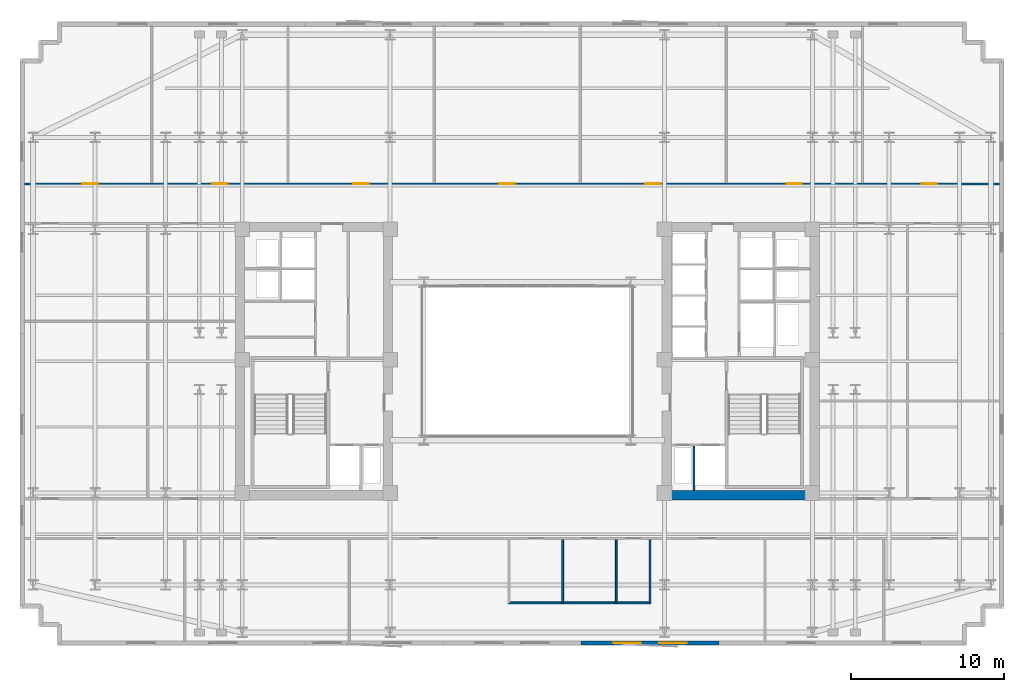
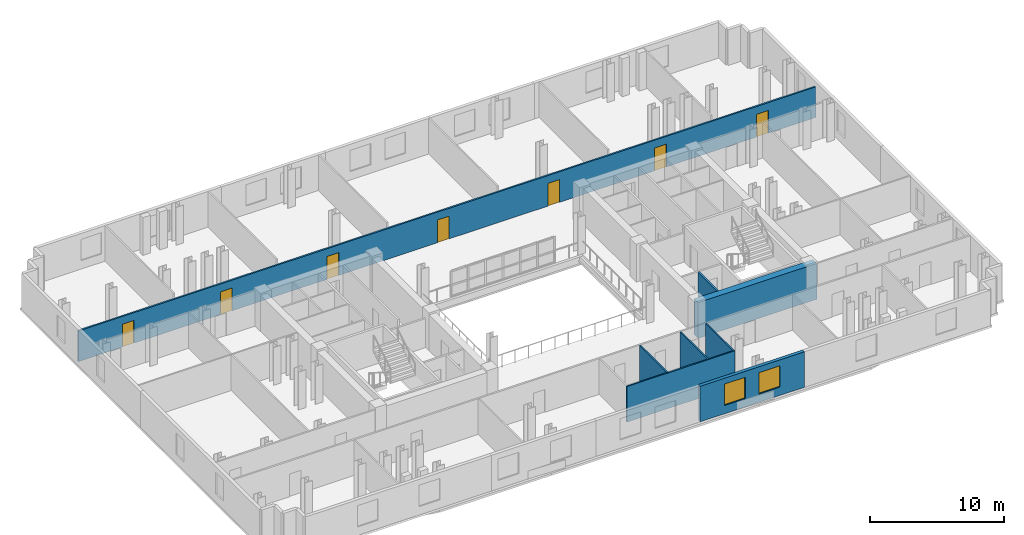
# One storey, part 8 of 12: 8 walls, 7 doors, 2 windows, 9 openings.
"""IFC4 building model written with IfcOpenShell, lengths in metres."""

from ifc_helpers import new_model, si_unit, direction, frame, frame_2d, origin, place, context, subcontext, project, spatial, rectangle, extrude, material, layer, layer_set, type_object, element, fill, save


model = new_model("IFC4")

# Units and contexts
model_context = context("Model", 3, precision=1e-05, world=origin(), true_north=direction((0.0, 1.0)))
body_context = subcontext(model_context, "Body", "Model", "MODEL_VIEW")
ifc_project = project(units=[si_unit("LENGTHUNIT", "METRE"), si_unit("AREAUNIT", "SQUARE_METRE"), si_unit("VOLUMEUNIT", "CUBIC_METRE"), si_unit("PLANEANGLEUNIT", "RADIAN"), si_unit("MASSUNIT", "GRAM", prefix="KILO")], contexts=[model_context])

# Site, building, storey
site_placement = place(None, origin())
site = spatial("IfcSite", under=ifc_project, at=site_placement, CompositionType="ELEMENT")
building_placement = place(site_placement, origin())
building = spatial("IfcBuilding", under=site, at=building_placement, Name="Velakula Bourse", CompositionType="ELEMENT")
storey_placement = place(building_placement, frame((0.0, 0.0, 148.449951171875)))
storey = spatial("IfcBuildingStorey", under=building, at=storey_placement, Name="L40", CompositionType="ELEMENT", Elevation=148.449951171875)

# Wall
ifc_material_1 = material(Name="Concrete M70 (fck 70 MPa)", Category="concrete")
ifc_layer_1 = layer(ifc_material_1, 0.60009765625, Name="Concrete M70 (fck 70 MPa)", Category="concrete")
ifc_layer_set_1 = layer_set([ifc_layer_1], Name="Concrete M70 (fck 70 MPa)")
wall_type_1 = type_object("IfcWallType", Name="WL-CORE-600", PredefinedType="SHEAR", material=ifc_layer_set_1)
wall_1_placement = place(storey_placement, frame((8.800048828125, -8.75, 0.0), z_axis=(0.0, 0.0, 1.0), x_axis=(1.0, 0.0, 0.0)))
element("IfcWall", 1, at=wall_1_placement, inside=storey, type_object=wall_type_1, Name="L40 Core E Shear Wall S", PredefinedType="SHEAR", context=body_context, shape_type="SweptSolid", body=[
    extrude(rectangle(XDim=10.25, YDim=0.60009765625, at=frame_2d((5.125, 0.0))), origin(), (0.0, 0.0, 1.0), 3.27001953125),
])

# Wall, openings, windows
ifc_material_2 = material(Name="Red kilned clay facing brick masonry", Category="masonry")
ifc_layer_2 = layer(ifc_material_2, 0.280029296875, Name="Red kilned clay facing brick masonry", Category="masonry")
ifc_layer_set_2 = layer_set([ifc_layer_2], Name="Red kilned clay facing brick masonry")
wall_type_2 = type_object("IfcWallType", Name="WL-EXT-BRK-280", PredefinedType="STANDARD", material=ifc_layer_set_2)
wall_2_placement = place(storey_placement, frame((12.5, -18.389892578125, 0.0), z_axis=(0.0, 0.0, 1.0), x_axis=(-1.0, 0.0, 0.0)))
wall_2 = element("IfcWall", 2, at=wall_2_placement, inside=storey, type_object=wall_type_2, Name="L40 S Brick Spandrel Wall B4", PredefinedType="STANDARD", context=body_context, shape_type="SweptSolid", body=[
    extrude(rectangle(XDim=9.0, YDim=0.280029296875, at=frame_2d((4.5, 0.0))), origin(), (0.0, 0.0, 1.0), 3.25),
])
opening_1_placement = place(wall_2_placement, frame((2.10009765625, 0.0, 0.760009765625)))
opening_1 = element("IfcOpeningElement", 3, at=opening_1_placement, cuts=wall_2, Name="Opening W-01", PredefinedType="OPENING", context=body_context, shape_type="SweptSolid", body=[
    extrude(rectangle(XDim=1.800048828125, YDim=1.949951171875, at=frame_2d((0.89990234375, 0.97509765625))), frame((0.0, 0.14990234375, 0.0), z_axis=(0.0, -1.0, 0.0), x_axis=(1.0, 0.0, 0.0)), (0.0, 0.0, 1.0), 0.300048828125),
])
opening_2_placement = place(wall_2_placement, frame((5.10009765625, 0.0, 0.760009765625)))
opening_2 = element("IfcOpeningElement", 4, at=opening_2_placement, cuts=wall_2, Name="Opening W-01", PredefinedType="OPENING", context=body_context, shape_type="SweptSolid", body=[
    extrude(rectangle(XDim=1.800048828125, YDim=1.949951171875, at=frame_2d((0.89990234375, 0.97509765625))), frame((0.0, 0.14990234375, 0.0), z_axis=(0.0, -1.0, 0.0), x_axis=(1.0, 0.0, 0.0)), (0.0, 0.0, 1.0), 0.300048828125),
])
ifc_material_3 = material(Name="Double-glazed solar-control Low-E glass", Category="glass")
window_type = type_object("IfcWindowType", Name="WIN-TWR-1800x2100", PartitioningType="SINGLE_PANEL", PredefinedType="WINDOW", material=ifc_material_3)
window_1_placement = place(opening_1_placement, origin())
window_1 = element("IfcWindow", 5, at=window_1_placement, inside=storey, type_object=window_type, Name="L40 Deep-Set Recessed Window 1", OverallHeight=1.949951171875, OverallWidth=1.800048828125, PartitioningType="SINGLE_PANEL", PredefinedType="WINDOW", context=body_context, shape_type="SweptSolid", body=[
    extrude(rectangle(XDim=1.800048828125, YDim=1.949951171875, at=frame_2d((0.89990234375, 0.97509765625))), frame((0.0, 0.030029296875, 0.0), z_axis=(0.0, -1.0, 0.0), x_axis=(1.0, 0.0, 0.0)), (0.0, 0.0, 1.0), 0.06005859375),
])
fill(opening_1, window_1)
window_2_placement = place(opening_2_placement, origin())
window_2 = element("IfcWindow", 6, at=window_2_placement, inside=storey, type_object=window_type, Name="L40 Deep-Set Recessed Window 2", OverallHeight=1.949951171875, OverallWidth=1.800048828125, PartitioningType="SINGLE_PANEL", PredefinedType="WINDOW", context=body_context, shape_type="SweptSolid", body=[
    extrude(rectangle(XDim=1.800048828125, YDim=1.949951171875, at=frame_2d((0.89990234375, 0.97509765625))), frame((0.0, 0.030029296875, 0.0), z_axis=(0.0, -1.0, 0.0), x_axis=(1.0, 0.0, 0.0)), (0.0, 0.0, 1.0), 0.06005859375),
])
fill(opening_2, window_2)

# Walls
ifc_material_4 = material(Name="Fire-rated double-layer gypsum drywall partition", Category="gypsum")
ifc_layer_3 = layer(ifc_material_4, 0.1201171875, Name="Fire-rated double-layer gypsum drywall partition", Category="gypsum")
ifc_layer_set_3 = layer_set([ifc_layer_3], Name="Fire-rated double-layer gypsum drywall partition")
wall_type_3 = type_object("IfcWallType", Name="WL-PART-120", PredefinedType="STANDARD", material=ifc_layer_set_3)
wall_3_placement = place(storey_placement, frame((-1.260009765625, -15.77001953125, 0.0), z_axis=(0.0, 0.0, 1.0), x_axis=(1.0, 0.0, 0.0)))
element("IfcWall", 7, at=wall_3_placement, inside=storey, type_object=wall_type_3, Name="L40 Interior Partition WL-WC-L40-BACK", PredefinedType="STANDARD", context=body_context, shape_type="SweptSolid", body=[
    extrude(rectangle(XDim=9.320068359375, YDim=0.1201171875, at=frame_2d((4.66015625, 0.0))), origin(), (0.0, 0.0, 1.0), 3.25),
])
for number, where, z_axis, x_axis, name in (
    (8, (2.300048828125, -15.77001953125, 0.0), (0.0, 0.0, 1.0), (0.0, 1.0, 0.0), "L40 Interior Partition WL-WC-L40-V2"),
    (9, (5.800048828125, -15.77001953125, 0.0), (0.0, 0.0, 1.0), (0.0, 1.0, 0.0), "L40 Interior Partition WL-WC-L40-V3"),
    (10, (8.0, -15.77001953125, 0.0), (0.0, 0.0, 1.0), (0.0, 1.0, 0.0), "L40 Interior Partition WL-WC-L40-V4"),
):
    element("IfcWall", number, at=place(storey_placement, frame(where, z_axis=z_axis, x_axis=x_axis)), inside=storey, type_object=wall_type_3, Name=name, PredefinedType="STANDARD", context=body_context, shape_type="SweptSolid", body=[
        extrude(rectangle(XDim=4.130126953125, YDim=0.1201171875, at=frame_2d((2.06494140625, 0.0))), origin(), (0.0, 0.0, 1.0), 3.25),
    ])

# Wall, openings, doors
ifc_layer_4 = layer(ifc_material_4, 0.139892578125, Name="Fire-rated double-layer gypsum drywall partition", Category="gypsum")
ifc_layer_set_4 = layer_set([ifc_layer_4], Name="Fire-rated double-layer gypsum drywall partition")
wall_type_4 = type_object("IfcWallType", Name="WL-PART-140", PredefinedType="STANDARD", material=ifc_layer_set_4)
wall_4_placement = place(storey_placement, frame((-32.820068359375, 11.570068359375, 0.0), z_axis=(0.0, 0.0, 1.0), x_axis=(1.0, 0.0, 0.0)))
wall_4 = element("IfcWall", 11, at=wall_4_placement, inside=storey, type_object=wall_type_4, Name="L40 Interior Partition WL-INT-L40-N-CORR", PredefinedType="STANDARD", context=body_context, shape_type="SweptSolid", body=[
    extrude(rectangle(XDim=63.64013671875, YDim=0.139892578125, at=frame_2d((31.820068359375, 0.0))), origin(), (0.0, 0.0, 1.0), 2.795166015625),
])
opening_3_placement = place(wall_4_placement, frame((3.784912109375, 0.0, 0.0)))
opening_3 = element("IfcOpeningElement", 12, at=opening_3_placement, cuts=wall_4, Name="Opening D-OF1", PredefinedType="OPENING", context=body_context, shape_type="SweptSolid", body=[
    extrude(rectangle(XDim=1.0, YDim=2.080078125, at=frame_2d((0.5, 1.0400390625))), frame((0.0, 0.079833984375, 0.0), z_axis=(0.0, -1.0, 0.0), x_axis=(1.0, 0.0, 0.0)), (0.0, 0.0, 1.0), 0.159912109375),
])
opening_4_placement = place(wall_4_placement, frame((12.263916015625, 0.0, 0.0)))
opening_4 = element("IfcOpeningElement", 13, at=opening_4_placement, cuts=wall_4, Name="Opening D-OF1", PredefinedType="OPENING", context=body_context, shape_type="SweptSolid", body=[
    extrude(rectangle(XDim=1.0, YDim=2.080078125, at=frame_2d((0.5, 1.0400390625))), frame((0.0, 0.079833984375, 0.0), z_axis=(0.0, -1.0, 0.0), x_axis=(1.0, 0.0, 0.0)), (0.0, 0.0, 1.0), 0.159912109375),
])
opening_5_placement = place(wall_4_placement, frame((21.47412109375, 0.0, 0.0)))
opening_5 = element("IfcOpeningElement", 14, at=opening_5_placement, cuts=wall_4, Name="Opening D-OF1", PredefinedType="OPENING", context=body_context, shape_type="SweptSolid", body=[
    extrude(rectangle(XDim=1.0, YDim=2.080078125, at=frame_2d((0.5, 1.0400390625))), frame((0.0, 0.079833984375, 0.0), z_axis=(0.0, -1.0, 0.0), x_axis=(1.0, 0.0, 0.0)), (0.0, 0.0, 1.0), 0.159912109375),
])
opening_6_placement = place(wall_4_placement, frame((31.001953125, 0.0, 0.0)))
opening_6 = element("IfcOpeningElement", 15, at=opening_6_placement, cuts=wall_4, Name="Opening D-OF1", PredefinedType="OPENING", context=body_context, shape_type="SweptSolid", body=[
    extrude(rectangle(XDim=1.0, YDim=2.080078125, at=frame_2d((0.5, 1.0400390625))), frame((0.0, 0.079833984375, 0.0), z_axis=(0.0, -1.0, 0.0), x_axis=(1.0, 0.0, 0.0)), (0.0, 0.0, 1.0), 0.159912109375),
])
opening_7_placement = place(wall_4_placement, frame((40.530029296875, 0.0, 0.0)))
opening_7 = element("IfcOpeningElement", 16, at=opening_7_placement, cuts=wall_4, Name="Opening D-OF1", PredefinedType="OPENING", context=body_context, shape_type="SweptSolid", body=[
    extrude(rectangle(XDim=1.0, YDim=2.080078125, at=frame_2d((0.5, 1.0400390625))), frame((0.0, 0.079833984375, 0.0), z_axis=(0.0, -1.0, 0.0), x_axis=(1.0, 0.0, 0.0)), (0.0, 0.0, 1.0), 0.159912109375),
])
opening_8_placement = place(wall_4_placement, frame((49.740478515625, 0.0, 0.0)))
opening_8 = element("IfcOpeningElement", 17, at=opening_8_placement, cuts=wall_4, Name="Opening D-OF1", PredefinedType="OPENING", context=body_context, shape_type="SweptSolid", body=[
    extrude(rectangle(XDim=1.0, YDim=2.080078125, at=frame_2d((0.5, 1.0400390625))), frame((0.0, 0.079833984375, 0.0), z_axis=(0.0, -1.0, 0.0), x_axis=(1.0, 0.0, 0.0)), (0.0, 0.0, 1.0), 0.159912109375),
])
opening_9_placement = place(wall_4_placement, frame((58.53759765625, 0.0, 0.0)))
opening_9 = element("IfcOpeningElement", 18, at=opening_9_placement, cuts=wall_4, Name="Opening D-OF1", PredefinedType="OPENING", context=body_context, shape_type="SweptSolid", body=[
    extrude(rectangle(XDim=1.0, YDim=2.080078125, at=frame_2d((0.5, 1.0400390625))), frame((0.0, 0.079833984375, 0.0), z_axis=(0.0, -1.0, 0.0), x_axis=(1.0, 0.0, 0.0)), (0.0, 0.0, 1.0), 0.159912109375),
])
ifc_material_5 = material(Name="Fire-rated hardwood flush architectural door", Category="wood")
door_type = type_object("IfcDoorType", Name="DR-OFF-1000", OperationType="NOTDEFINED", PredefinedType="DOOR", material=ifc_material_5)
door_1_placement = place(opening_3_placement, origin())
door_1 = element("IfcDoor", 19, at=door_1_placement, inside=storey, type_object=door_type, Name="L40 Bourse Executive Workspace Door", OperationType="SINGLE_SWING_LEFT", OverallHeight=2.080078125, OverallWidth=1.0, PredefinedType="DOOR", context=body_context, shape_type="SweptSolid", body=[
    extrude(rectangle(XDim=1.0, YDim=2.080078125, at=frame_2d((0.5, 1.0400390625))), frame((0.0, 0.02490234375, 0.0), z_axis=(0.0, -1.0, 0.0), x_axis=(1.0, 0.0, 0.0)), (0.0, 0.0, 1.0), 0.050048828125),
])
fill(opening_3, door_1)
door_2_placement = place(opening_4_placement, origin())
door_2 = element("IfcDoor", 20, at=door_2_placement, inside=storey, type_object=door_type, Name="L40 Clearing Committee Room Door", OperationType="SINGLE_SWING_RIGHT", OverallHeight=2.080078125, OverallWidth=1.0, PredefinedType="DOOR", context=body_context, shape_type="SweptSolid", body=[
    extrude(rectangle(XDim=1.0, YDim=2.080078125, at=frame_2d((0.5, 1.0400390625))), frame((0.0, 0.02490234375, 0.0), z_axis=(0.0, -1.0, 0.0), x_axis=(1.0, 0.0, 0.0)), (0.0, 0.0, 1.0), 0.050048828125),
])
fill(opening_4, door_2)
door_3_placement = place(opening_5_placement, origin())
door_3 = element("IfcDoor", 21, at=door_3_placement, inside=storey, type_object=door_type, Name="L40 Tea Room Kitchenette Door", OperationType="SINGLE_SWING_LEFT", OverallHeight=2.080078125, OverallWidth=1.0, PredefinedType="DOOR", context=body_context, shape_type="SweptSolid", body=[
    extrude(rectangle(XDim=1.0, YDim=2.080078125, at=frame_2d((0.5, 1.0400390625))), frame((0.0, 0.02490234375, 0.0), z_axis=(0.0, -1.0, 0.0), x_axis=(1.0, 0.0, 0.0)), (0.0, 0.0, 1.0), 0.050048828125),
])
fill(opening_5, door_3)
door_4_placement = place(opening_6_placement, origin())
door_4 = element("IfcDoor", 22, at=door_4_placement, inside=storey, type_object=door_type, Name="L40 Quiet Financial Library Door", OperationType="SINGLE_SWING_RIGHT", OverallHeight=2.080078125, OverallWidth=1.0, PredefinedType="DOOR", context=body_context, shape_type="SweptSolid", body=[
    extrude(rectangle(XDim=1.0, YDim=2.080078125, at=frame_2d((0.5, 1.0400390625))), frame((0.0, 0.02490234375, 0.0), z_axis=(0.0, -1.0, 0.0), x_axis=(1.0, 0.0, 0.0)), (0.0, 0.0, 1.0), 0.050048828125),
])
fill(opening_6, door_4)
door_5_placement = place(opening_7_placement, origin())
door_5 = element("IfcDoor", 23, at=door_5_placement, inside=storey, type_object=door_type, Name="L40 Issuer Relations Office Door", OperationType="SINGLE_SWING_LEFT", OverallHeight=2.080078125, OverallWidth=1.0, PredefinedType="DOOR", context=body_context, shape_type="SweptSolid", body=[
    extrude(rectangle(XDim=1.0, YDim=2.080078125, at=frame_2d((0.5, 1.0400390625))), frame((0.0, 0.02490234375, 0.0), z_axis=(0.0, -1.0, 0.0), x_axis=(1.0, 0.0, 0.0)), (0.0, 0.0, 1.0), 0.050048828125),
])
fill(opening_7, door_5)
door_6_placement = place(opening_8_placement, origin())
door_6 = element("IfcDoor", 24, at=door_6_placement, inside=storey, type_object=door_type, Name="L40 Bourse Executive Workspace Door", OperationType="SINGLE_SWING_RIGHT", OverallHeight=2.080078125, OverallWidth=1.0, PredefinedType="DOOR", context=body_context, shape_type="SweptSolid", body=[
    extrude(rectangle(XDim=1.0, YDim=2.080078125, at=frame_2d((0.5, 1.0400390625))), frame((0.0, 0.02490234375, 0.0), z_axis=(0.0, -1.0, 0.0), x_axis=(1.0, 0.0, 0.0)), (0.0, 0.0, 1.0), 0.050048828125),
])
fill(opening_8, door_6)
door_7_placement = place(opening_9_placement, origin())
door_7 = element("IfcDoor", 25, at=door_7_placement, inside=storey, type_object=door_type, Name="L40 Company Secretary Office Door", OperationType="SINGLE_SWING_LEFT", OverallHeight=2.080078125, OverallWidth=1.0, PredefinedType="DOOR", context=body_context, shape_type="SweptSolid", body=[
    extrude(rectangle(XDim=1.0, YDim=2.080078125, at=frame_2d((0.5, 1.0400390625))), frame((0.0, 0.02490234375, 0.0), z_axis=(0.0, -1.0, 0.0), x_axis=(1.0, 0.0, 0.0)), (0.0, 0.0, 1.0), 0.050048828125),
])
fill(opening_9, door_7)

# Wall
ifc_material_6 = material(Name="Autoclaved aerated concrete blockwork masonry", Category="masonry")
ifc_layer_5 = layer(ifc_material_6, 0.14990234375, Name="Autoclaved aerated concrete blockwork masonry", Category="masonry")
ifc_layer_set_5 = layer_set([ifc_layer_5], Name="Autoclaved aerated concrete blockwork masonry")
wall_type_5 = type_object("IfcWallType", Name="WL-SHAFT-150", PredefinedType="STANDARD", material=ifc_layer_set_5)
wall_5_placement = place(storey_placement, frame((10.875, -8.449951171875, 0.0), z_axis=(0.0, 0.0, 1.0), x_axis=(0.0, 1.0, 0.0)))
element("IfcWall", 26, at=wall_5_placement, inside=storey, type_object=wall_type_5, Name="L40 Interior Partition WL-CRE-L40-FR-DIV", PredefinedType="STANDARD", context=body_context, shape_type="SweptSolid", body=[
    extrude(rectangle(XDim=2.89990234375, YDim=0.14990234375, at=frame_2d((1.449951171875, 0.0))), origin(), (0.0, 0.0, 1.0), 3.25),
])

save(model, "model.ifc")
